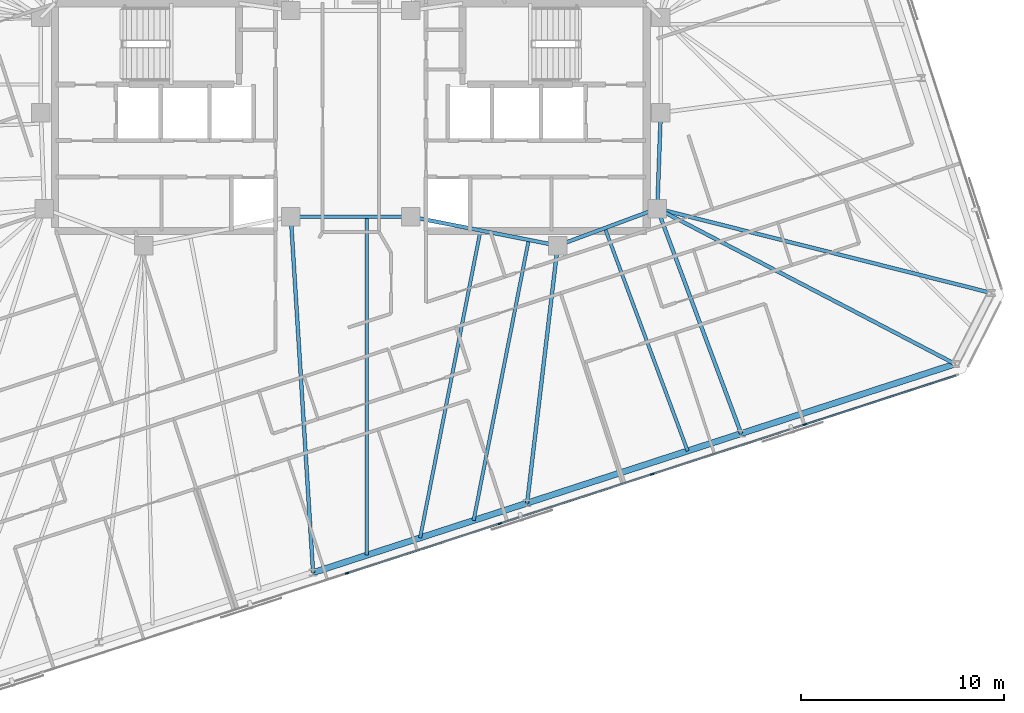
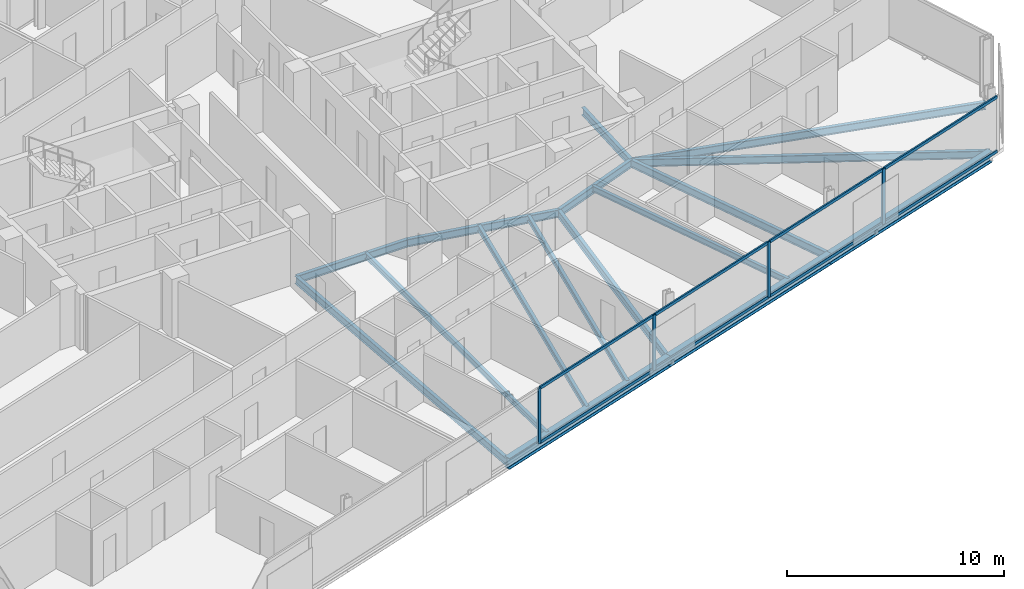
# One storey, part 7 of 20: 16 beams, 12 members, 1 element without a shape of its own.
"""IFC4 building model written with IfcOpenShell, lengths in metres."""

from ifc_helpers import new_model, si_unit, direction, frame, origin, origin_2d, place, context, subcontext, project, spatial, rectangle, i_section, extrude, material, material_profile, profile_set, type_object, element, aggregate, save


model = new_model("IFC4")

# Units and contexts
model_context = context("Model", 3, precision=1e-05, world=origin(), true_north=direction((0.0, 1.0)))
body_context = subcontext(model_context, "Body", "Model", "MODEL_VIEW")
ifc_project = project(units=[si_unit("LENGTHUNIT", "METRE"), si_unit("AREAUNIT", "SQUARE_METRE"), si_unit("VOLUMEUNIT", "CUBIC_METRE"), si_unit("PLANEANGLEUNIT", "RADIAN"), si_unit("MASSUNIT", "GRAM", prefix="KILO")], contexts=[model_context])

# Site, building, storey
site_placement = place(None, origin())
site = spatial("IfcSite", under=ifc_project, at=site_placement, CompositionType="ELEMENT")
building_placement = place(site_placement, origin())
building = spatial("IfcBuilding", under=site, at=building_placement, Name="Menara Jurai Vektor", CompositionType="ELEMENT")
storey_placement = place(building_placement, frame((0.0, 0.0, 227.64990234375)))
storey = spatial("IfcBuildingStorey", under=building, at=storey_placement, Name="L60", CompositionType="ELEMENT", Elevation=227.64990234375)

# Curtain wall, members
ifc_material_1 = material(Name="Anodised Pale Aluminium & Low-E Double Glazing", Category="aluminium")
curtain_wall_type = type_object("IfcCurtainWallType", Name="CW-BLK4", PredefinedType="NOTDEFINED", material=ifc_material_1)
curtain_wall_placement = place(storey_placement, origin())
curtain_wall = element("IfcCurtainWall", 1, at=curtain_wall_placement, inside=storey, type_object=curtain_wall_type, Name="Unitised Curtain Wall L60 F01", PredefinedType="NOTDEFINED")
ifc_material_2 = material(Name="Anodised Pale Aluminium Mullion", Category="aluminium")
ifc_material_profile_1 = material_profile(ifc_material_2, rectangle(XDim=0.080078125, YDim=0.18994140625, at=origin_2d()), Name="ALU MUL 80x190")
ifc_profile_set_1 = profile_set([ifc_material_profile_1], Name="Anodised Pale Aluminium Mullion")
member_type_1 = type_object("IfcMemberType", Name="CW-BLK4-MUL", PredefinedType="MULLION", material=ifc_profile_set_1)
member_1_placement = place(storey_placement, frame((-0.17236328125, -22.4404296875, 0.0), z_axis=(0.0, 0.0, 1.0), x_axis=(-0.309017344167, 0.951056402641, 0.0)))
member_1 = element("IfcMember", 2, at=member_1_placement, type_object=member_type_1, Name="CW-04 mullion 4", PredefinedType="MULLION", context=body_context, shape_type="SweptSolid", body=[
    extrude(rectangle(XDim=0.080078125, YDim=0.18994140625, at=origin_2d()), origin(), (0.0, 0.0, 1.0), 3.125),
])
member_2_placement = place(storey_placement, frame((7.3330078125, -20.001953125, 0.0), z_axis=(0.0, 0.0, 1.0), x_axis=(-0.309017344167, 0.951056402641, 0.0)))
member_2 = element("IfcMember", 3, at=member_2_placement, type_object=member_type_1, Name="CW-04 mullion 5", PredefinedType="MULLION", context=body_context, shape_type="SweptSolid", body=[
    extrude(rectangle(XDim=0.080078125, YDim=0.18994140625, at=origin_2d()), origin(), (0.0, 0.0, 1.0), 3.125),
])
member_3_placement = place(storey_placement, frame((14.838134765625, -17.563232421875, 0.0), z_axis=(0.0, 0.0, 1.0), x_axis=(-0.309017344167, 0.951056402641, 0.0)))
member_3 = element("IfcMember", 4, at=member_3_placement, type_object=member_type_1, Name="CW-04 mullion 6", PredefinedType="MULLION", context=body_context, shape_type="SweptSolid", body=[
    extrude(rectangle(XDim=0.080078125, YDim=0.18994140625, at=origin_2d()), origin(), (0.0, 0.0, 1.0), 3.125),
])
member_4_placement = place(storey_placement, frame((22.34326171875, -15.124755859375, 0.0), z_axis=(0.0, 0.0, 1.0), x_axis=(-0.309017344167, 0.951056402641, 0.0)))
member_4 = element("IfcMember", 5, at=member_4_placement, type_object=member_type_1, Name="CW-04 mullion 7", PredefinedType="MULLION", context=body_context, shape_type="SweptSolid", body=[
    extrude(rectangle(XDim=0.080078125, YDim=0.18994140625, at=origin_2d()), origin(), (0.0, 0.0, 1.0), 3.125),
])
ifc_material_3 = material(Name="Anodised Pale Aluminium Transom", Category="aluminium")
ifc_material_profile_2 = material_profile(ifc_material_3, rectangle(XDim=0.080078125, YDim=0.1650390625, at=origin_2d()), Name="ALU TRN 80x165")
ifc_profile_set_2 = profile_set([ifc_material_profile_2], Name="Anodised Pale Aluminium Transom")
member_type_2 = type_object("IfcMemberType", Name="CW-BLK4-TRN", PredefinedType="USERDEFINED", material=ifc_profile_set_2)
member_5_placement = place(storey_placement, frame((-0.13427734375, -22.427978515625, 0.0400390625), z_axis=(0.951059330237, 0.309008333817, 0.0), x_axis=(-0.309008333817, 0.951059330237, 0.0)))
member_5 = element("IfcMember", 6, at=member_5_placement, type_object=member_type_2, Name="CW-04 transom 4.1", ObjectType="TRANSOM", PredefinedType="USERDEFINED", context=body_context, shape_type="SweptSolid", body=[
    extrude(rectangle(XDim=0.080078125, YDim=0.1650390625, at=origin_2d()), origin(), (0.0, 0.0, 1.0), 7.8115234375),
])
member_6_placement = place(storey_placement, frame((-0.13427734375, -22.427978515625, 3.085205078125), z_axis=(0.951059330237, 0.309008333817, 0.0), x_axis=(-0.309008333817, 0.951059330237, 0.0)))
member_6 = element("IfcMember", 7, at=member_6_placement, type_object=member_type_2, Name="CW-04 transom 4.2", ObjectType="TRANSOM", PredefinedType="USERDEFINED", context=body_context, shape_type="SweptSolid", body=[
    extrude(rectangle(XDim=0.080078125, YDim=0.1650390625, at=origin_2d()), origin(), (0.0, 0.0, 1.0), 7.8115234375),
])
member_7_placement = place(storey_placement, frame((7.37109375, -19.989501953125, 0.0400390625), z_axis=(0.95105634578, 0.309017519167, 0.0), x_axis=(-0.309017519167, 0.95105634578, 0.0)))
member_7 = element("IfcMember", 8, at=member_7_placement, type_object=member_type_2, Name="CW-04 transom 5.1", ObjectType="TRANSOM", PredefinedType="USERDEFINED", context=body_context, shape_type="SweptSolid", body=[
    extrude(rectangle(XDim=0.080078125, YDim=0.1650390625, at=origin_2d()), origin(), (0.0, 0.0, 1.0), 7.811279296875),
])
member_8_placement = place(storey_placement, frame((7.37109375, -19.989501953125, 3.085205078125), z_axis=(0.95105634578, 0.309017519167, 0.0), x_axis=(-0.309017519167, 0.95105634578, 0.0)))
member_8 = element("IfcMember", 9, at=member_8_placement, type_object=member_type_2, Name="CW-04 transom 5.2", ObjectType="TRANSOM", PredefinedType="USERDEFINED", context=body_context, shape_type="SweptSolid", body=[
    extrude(rectangle(XDim=0.080078125, YDim=0.1650390625, at=origin_2d()), origin(), (0.0, 0.0, 1.0), 7.811279296875),
])
member_9_placement = place(storey_placement, frame((14.876220703125, -17.551025390625, 0.0400390625), z_axis=(0.95104715984, 0.309045789099, 0.0), x_axis=(-0.309045789099, 0.95104715984, 0.0)))
member_9 = element("IfcMember", 10, at=member_9_placement, type_object=member_type_2, Name="CW-04 transom 6.1", ObjectType="TRANSOM", PredefinedType="USERDEFINED", context=body_context, shape_type="SweptSolid", body=[
    extrude(rectangle(XDim=0.080078125, YDim=0.1650390625, at=origin_2d()), origin(), (0.0, 0.0, 1.0), 7.811279296875),
])
member_10_placement = place(storey_placement, frame((14.876220703125, -17.551025390625, 3.085205078125), z_axis=(0.95104715984, 0.309045789099, 0.0), x_axis=(-0.309045789099, 0.95104715984, 0.0)))
member_10 = element("IfcMember", 11, at=member_10_placement, type_object=member_type_2, Name="CW-04 transom 6.2", ObjectType="TRANSOM", PredefinedType="USERDEFINED", context=body_context, shape_type="SweptSolid", body=[
    extrude(rectangle(XDim=0.080078125, YDim=0.1650390625, at=origin_2d()), origin(), (0.0, 0.0, 1.0), 7.811279296875),
])
member_11_placement = place(storey_placement, frame((22.38134765625, -15.1123046875, 0.0400390625), z_axis=(0.951062230089, 0.308999408573, 0.0), x_axis=(-0.308999408573, 0.951062230089, 0.0)))
member_11 = element("IfcMember", 12, at=member_11_placement, type_object=member_type_2, Name="CW-04 transom 7.1", ObjectType="TRANSOM", PredefinedType="USERDEFINED", context=body_context, shape_type="SweptSolid", body=[
    extrude(rectangle(XDim=0.080078125, YDim=0.1650390625, at=origin_2d()), origin(), (0.0, 0.0, 1.0), 7.771484375),
])
member_12_placement = place(storey_placement, frame((22.38134765625, -15.1123046875, 3.085205078125), z_axis=(0.951062230089, 0.308999408573, 0.0), x_axis=(-0.308999408573, 0.951062230089, 0.0)))
member_12 = element("IfcMember", 13, at=member_12_placement, type_object=member_type_2, Name="CW-04 transom 7.2", ObjectType="TRANSOM", PredefinedType="USERDEFINED", context=body_context, shape_type="SweptSolid", body=[
    extrude(rectangle(XDim=0.080078125, YDim=0.1650390625, at=origin_2d()), origin(), (0.0, 0.0, 1.0), 7.771484375),
])
aggregate(curtain_wall, [member_1, member_2, member_3, member_4, member_5, member_6, member_7, member_8, member_9, member_10, member_11, member_12])

# Beams
ifc_material_4 = material(Name="Steel S355", Category="steel")
ifc_material_profile_3 = material_profile(ifc_material_4, i_section(OverallWidth=0.18505859375, OverallDepth=0.429931640625, WebThickness=0.010986328125, FlangeThickness=0.01806640625, at=origin_2d()), Name="PG 430x185x76")
ifc_profile_set_3 = profile_set([ifc_material_profile_3], Name="Steel S355")
beam_type_1 = type_object("IfcBeamType", Name="STR-BM-430", PredefinedType="BEAM", material=ifc_profile_set_3)
beam_1_placement = place(storey_placement, frame((15.080078125, -4.5, -0.43994140625), z_axis=(0.035977314146, 0.999352606874, 0.0), x_axis=(-0.999352606874, 0.035977314146, 0.0)))
element("IfcBeam", 14, at=beam_1_placement, inside=storey, type_object=beam_type_1, Name="Core Ring Header Girder L60-CHE-E2", PredefinedType="BEAM", context=body_context, shape_type="SweptSolid", body=[
    extrude(i_section(OverallWidth=0.18505859375, OverallDepth=0.429931640625, WebThickness=0.010986328125, FlangeThickness=0.01806640625, at=origin_2d()), origin(), (0.0, 0.0, 1.0), 4.72314453125),
])
beam_2_placement = place(storey_placement, frame((10.179931640625, -6.320068359375, -0.43994140625), z_axis=(0.937424400887, 0.348188874925, 0.0), x_axis=(-0.348188874925, 0.937424400887, 0.0)))
element("IfcBeam", 15, at=beam_2_placement, inside=storey, type_object=beam_type_1, Name="Core Ring Header Girder L60-CHE-S1", PredefinedType="BEAM", context=body_context, shape_type="SweptSolid", body=[
    extrude(i_section(OverallWidth=0.18505859375, OverallDepth=0.429931640625, WebThickness=0.010986328125, FlangeThickness=0.01806640625, at=origin_2d()), origin(), (0.0, 0.0, 1.0), 5.227294921875),
])
beam_3_placement = place(storey_placement, frame((2.949951171875, -4.89990234375, -0.43994140625), z_axis=(0.981249044334, -0.192744164614, 0.0), x_axis=(0.192744164614, 0.981249044334, 0.0)))
element("IfcBeam", 16, at=beam_3_placement, inside=storey, type_object=beam_type_1, Name="Core Ring Header Girder L60-CHE-S2", PredefinedType="BEAM", context=body_context, shape_type="SweptSolid", body=[
    extrude(i_section(OverallWidth=0.18505859375, OverallDepth=0.429931640625, WebThickness=0.010986328125, FlangeThickness=0.01806640625, at=origin_2d()), origin(), (0.0, 0.0, 1.0), 7.3681640625),
])
beam_4_placement = place(storey_placement, frame((-2.949951171875, -4.89990234375, -0.43994140625), z_axis=(1.0, 0.0, 0.0), x_axis=(0.0, 1.0, 0.0)))
element("IfcBeam", 17, at=beam_4_placement, inside=storey, type_object=beam_type_1, Name="Core Ring Header Girder L60-CC-1", PredefinedType="BEAM", context=body_context, shape_type="SweptSolid", body=[
    extrude(i_section(OverallWidth=0.18505859375, OverallDepth=0.429931640625, WebThickness=0.010986328125, FlangeThickness=0.01806640625, at=origin_2d()), origin(), (0.0, 0.0, 1.0), 5.89990234375),
])
beam_5_placement = place(storey_placement, frame((-1.854248046875, -22.40869140625, -0.43994140625), z_axis=(-0.062457995419, 0.998047593458, 0.0), x_axis=(-0.998047593458, -0.062457995419, 0.0)))
element("IfcBeam", 18, at=beam_5_placement, inside=storey, type_object=beam_type_1, Name="Radial Floor Girder L60-S3", PredefinedType="BEAM", context=body_context, shape_type="SweptSolid", body=[
    extrude(i_section(OverallWidth=0.18505859375, OverallDepth=0.429931640625, WebThickness=0.010986328125, FlangeThickness=0.01806640625, at=origin_2d()), origin(), (0.0, 0.0, 1.0), 17.54296875),
])
beam_6_placement = place(storey_placement, frame((8.675048828125, -18.987548828125, -0.43994140625), z_axis=(0.117969360513, 0.99301723549, 0.0), x_axis=(-0.99301723549, 0.117969360513, 0.0)))
element("IfcBeam", 19, at=beam_6_placement, inside=storey, type_object=beam_type_1, Name="Radial Floor Girder L60-S4", PredefinedType="BEAM", context=body_context, shape_type="SweptSolid", body=[
    extrude(i_section(OverallWidth=0.18505859375, OverallDepth=0.429931640625, WebThickness=0.010986328125, FlangeThickness=0.01806640625, at=origin_2d()), origin(), (0.0, 0.0, 1.0), 12.756591796875),
])
beam_7_placement = place(storey_placement, frame((19.204345703125, -15.56640625, -0.43994140625), z_axis=(-0.349219718154, 0.93704086808, 0.0), x_axis=(-0.93704086808, -0.349219718154, 0.0)))
element("IfcBeam", 20, at=beam_7_placement, inside=storey, type_object=beam_type_1, Name="Radial Floor Girder L60-S5", PredefinedType="BEAM", context=body_context, shape_type="SweptSolid", body=[
    extrude(i_section(OverallWidth=0.18505859375, OverallDepth=0.429931640625, WebThickness=0.010986328125, FlangeThickness=0.01806640625, at=origin_2d()), origin(), (0.0, 0.0, 1.0), 11.81005859375),
])
beam_8_placement = place(storey_placement, frame((29.7333984375, -12.14501953125, -0.43994140625), z_axis=(-0.886589587068, 0.462556919851, 0.0), x_axis=(-0.462556919851, -0.886589587068, 0.0)))
element("IfcBeam", 21, at=beam_8_placement, inside=storey, type_object=beam_type_1, Name="Radial Floor Girder L60-S6", PredefinedType="BEAM", context=body_context, shape_type="SweptSolid", body=[
    extrude(i_section(OverallWidth=0.18505859375, OverallDepth=0.429931640625, WebThickness=0.010986328125, FlangeThickness=0.01806640625, at=origin_2d()), origin(), (0.0, 0.0, 1.0), 16.52783203125),
])
beam_9_placement = place(storey_placement, frame((31.513427734375, -8.652099609375, -0.43994140625), z_axis=(-0.969531956771, 0.244964864418, 0.0), x_axis=(-0.244964864418, -0.969531956771, 0.0)))
element("IfcBeam", 22, at=beam_9_placement, inside=storey, type_object=beam_type_1, Name="Radial Floor Girder L60-E1", PredefinedType="BEAM", context=body_context, shape_type="SweptSolid", body=[
    extrude(i_section(OverallWidth=0.18505859375, OverallDepth=0.429931640625, WebThickness=0.010986328125, FlangeThickness=0.01806640625, at=origin_2d()), origin(), (0.0, 0.0, 1.0), 16.94970703125),
])
ifc_material_profile_4 = material_profile(ifc_material_4, i_section(OverallWidth=0.1650390625, OverallDepth=0.330078125, WebThickness=0.009033203125, FlangeThickness=0.013916015625, at=origin_2d()), Name="PG 330x165x46")
ifc_profile_set_4 = profile_set([ifc_material_profile_4], Name="Steel S355")
beam_type_2 = type_object("IfcBeamType", Name="STR-JS-330", PredefinedType="JOIST", material=ifc_profile_set_4)
beam_10_placement = place(storey_placement, frame((0.778076171875, -21.55322265625, -0.389892578125), z_axis=(0.0, 1.0, 0.0), x_axis=(-1.0, 0.0, 0.0)))
element("IfcBeam", 23, at=beam_10_placement, inside=storey, type_object=beam_type_2, Name="Radial Secondary Floor Joist L60-JS05", PredefinedType="JOIST", context=body_context, shape_type="SweptSolid", body=[
    extrude(i_section(OverallWidth=0.1650390625, OverallDepth=0.330078125, WebThickness=0.009033203125, FlangeThickness=0.013916015625, at=origin_2d()), origin(), (0.0, 0.0, 1.0), 16.6533203125),
])
beam_11_placement = place(storey_placement, frame((3.410400390625, -20.697998046875, -0.389892578125), z_axis=(0.192721610081, 0.981253474393, 0.0), x_axis=(-0.981253474393, 0.192721610081, 0.0)))
element("IfcBeam", 24, at=beam_11_placement, inside=storey, type_object=beam_type_2, Name="Radial Secondary Floor Joist L60-JS06", PredefinedType="JOIST", context=body_context, shape_type="SweptSolid", body=[
    extrude(i_section(OverallWidth=0.1650390625, OverallDepth=0.330078125, WebThickness=0.009033203125, FlangeThickness=0.013916015625, at=origin_2d()), origin(), (0.0, 0.0, 1.0), 15.413330078125),
])
beam_12_placement = place(storey_placement, frame((6.042724609375, -19.8427734375, -0.389892578125), z_axis=(0.192720535629, 0.981253685418, 0.0), x_axis=(-0.981253685418, 0.192720535629, 0.0)))
element("IfcBeam", 25, at=beam_12_placement, inside=storey, type_object=beam_type_2, Name="Radial Secondary Floor Joist L60-JS07", PredefinedType="JOIST", context=body_context, shape_type="SweptSolid", body=[
    extrude(i_section(OverallWidth=0.1650390625, OverallDepth=0.330078125, WebThickness=0.009033203125, FlangeThickness=0.013916015625, at=origin_2d()), origin(), (0.0, 0.0, 1.0), 14.066650390625),
])
beam_13_placement = place(storey_placement, frame((16.572021484375, -16.421630859375, -0.389892578125), z_axis=(-0.348179715909, 0.937427802782, 0.0), x_axis=(-0.937427802782, -0.348179715909, 0.0)))
element("IfcBeam", 26, at=beam_13_placement, inside=storey, type_object=beam_type_2, Name="Radial Secondary Floor Joist L60-JS08", PredefinedType="JOIST", context=body_context, shape_type="SweptSolid", body=[
    extrude(i_section(OverallWidth=0.1650390625, OverallDepth=0.330078125, WebThickness=0.009033203125, FlangeThickness=0.013916015625, at=origin_2d()), origin(), (0.0, 0.0, 1.0), 11.695068359375),
])
ifc_material_profile_5 = material_profile(ifc_material_4, i_section(OverallWidth=0.306884765625, OverallDepth=0.6201171875, WebThickness=0.013916015625, FlangeThickness=0.02392578125, FilletRadius=0.01708984375, at=origin_2d()), Name="UKB 610x305x179")
ifc_profile_set_5 = profile_set([ifc_material_profile_5], Name="Steel S355")
beam_type_3 = type_object("IfcBeamType", Name="STR-SP-610", PredefinedType="SPANDREL", material=ifc_profile_set_5)
for number, where, z_axis, x_axis, name in (
    (27, (-1.854248046875, -22.40869140625, -0.534912109375), (0.951057401967, 0.309014268544, 0.0), (-0.309014268544, 0.951057401967, 0.0), "Exoskeleton Spandrel Beam L60-03"),
    (28, (8.675048828125, -18.987548828125, -0.534912109375), (0.951057401967, 0.309014268544, 0.0), (-0.309014268544, 0.951057401967, 0.0), "Exoskeleton Spandrel Beam L60-04"),
    (29, (19.204345703125, -15.56640625, -0.534912109375), (0.951048814879, 0.309040695892, 0.0), (-0.309040695892, 0.951048814879, 0.0), "Exoskeleton Spandrel Beam L60-05"),
):
    element("IfcBeam", number, at=place(storey_placement, frame(where, z_axis=z_axis, x_axis=x_axis)), inside=storey, type_object=beam_type_3, Name=name, PredefinedType="SPANDREL", context=body_context, shape_type="SweptSolid", body=[
        extrude(i_section(OverallWidth=0.306884765625, OverallDepth=0.6201171875, WebThickness=0.013916015625, FlangeThickness=0.02392578125, FilletRadius=0.01708984375, at=origin_2d()), origin(), (0.0, 0.0, 1.0), 11.071044921875),
    ])

save(model, "model.ifc")
